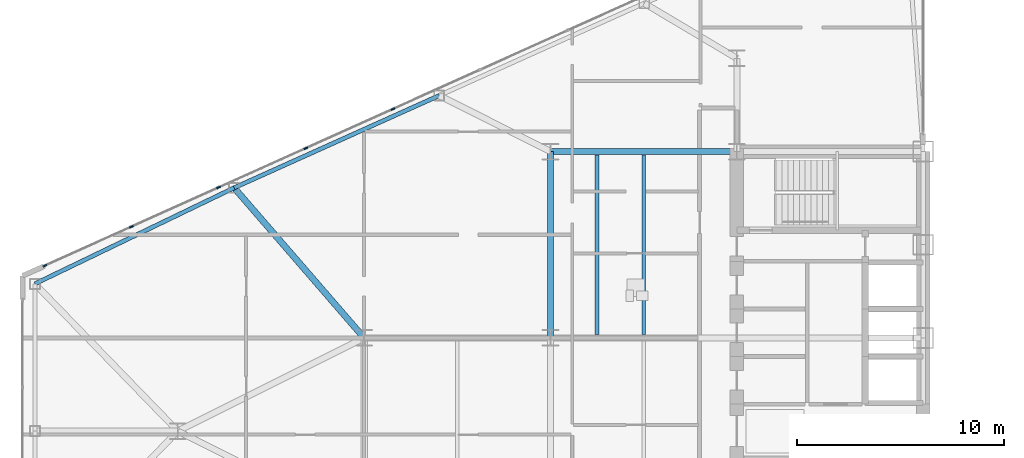
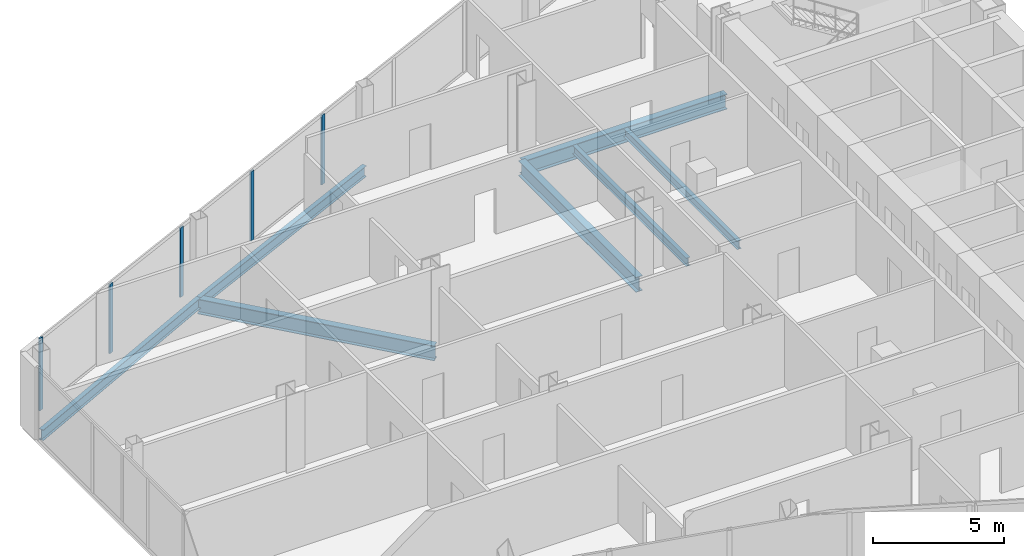
# One storey, part 7 of 27: 7 beams, 5 members, 1 element without a shape of its own.
"""IFC4 building model written with IfcOpenShell, lengths in metres."""

from ifc_helpers import new_model, si_unit, direction, frame, origin, origin_2d, place, context, subcontext, project, spatial, rectangle, i_section, extrude, source, transform, mapped, material, layer, layer_set, material_profile, profile_set, type_object, type_shapes, element, aggregate, save


model = new_model("IFC4")

# Units and contexts
model_context = context("Model", 3, precision=1e-05, world=origin(), true_north=direction((0.0, 1.0)))
body_context = subcontext(model_context, "Body", "Model", "MODEL_VIEW")
ifc_project = project(units=[si_unit("LENGTHUNIT", "METRE"), si_unit("AREAUNIT", "SQUARE_METRE"), si_unit("VOLUMEUNIT", "CUBIC_METRE"), si_unit("PLANEANGLEUNIT", "RADIAN"), si_unit("MASSUNIT", "GRAM", prefix="KILO")], contexts=[model_context])

# Site, building, storey
site_placement = place(None, origin())
site = spatial("IfcSite", under=ifc_project, at=site_placement, CompositionType="ELEMENT")
building_placement = place(site_placement, origin())
building = spatial("IfcBuilding", under=site, at=building_placement, Name="Seokmaru Belvedere", CompositionType="ELEMENT")
storey_placement = place(building_placement, frame((0.0, 0.0, 76.5)))
storey = spatial("IfcBuildingStorey", under=building, at=storey_placement, Name="L20", CompositionType="ELEMENT", Elevation=76.5)

# Beams
ifc_material_1 = material(Name="Steel SM355 (355 MPa)", Category="steel")
ifc_material_profile_1 = material_profile(ifc_material_1, i_section(OverallWidth=0.300048828125, OverallDepth=0.699951171875, WebThickness=0.012939453125, FlangeThickness=0.02392578125, at=origin_2d()), Name="H-700x300x13x24")
ifc_profile_set_1 = profile_set([ifc_material_profile_1], Name="Steel SM355 (355 MPa)")
beam_type_1 = type_object("IfcBeamType", Name="Primary Floor Girder H-700", PredefinedType="BEAM", material=ifc_profile_set_1)
shared_shape_1 = source(origin(), body_context, "Body", "SweptSolid", [
    extrude(i_section(OverallWidth=0.300048828125, OverallDepth=0.699951171875, WebThickness=0.012939453125, FlangeThickness=0.02392578125, at=origin_2d()), origin(), (0.0, 0.0, 1.0), 9.0),
])
for number, where, z_axis, x_axis, name in (
    (1, (-45.5, 4.5, -0.570068359375), (0.0, 1.0, 0.0), (-1.0, 0.0, 0.0), "L20 W Interior Grid Girder 3"),
    (2, (-45.5, 13.5, -0.570068359375), (1.0, 0.0, 0.0), (0.0, 1.0, 0.0), "L20 W Wing Primary Girder 4"),
):
    element("IfcBeam", number, at=place(storey_placement, frame(where, z_axis=z_axis, x_axis=x_axis)), inside=storey, type_object=beam_type_1, Name=name, PredefinedType="BEAM", context=body_context, shape_type="MappedRepresentation", body=[
        mapped(shared_shape_1, transform((0.0, 0.0, 0.0), scale=1.0)),
    ])
ifc_material_profile_2 = material_profile(ifc_material_1, i_section(OverallWidth=0.18505859375, OverallDepth=0.389892578125, WebThickness=0.008056640625, FlangeThickness=0.011962890625, at=origin_2d()), Name="H-390x185x8x12")
ifc_profile_set_2 = profile_set([ifc_material_profile_2], Name="Steel SM355 (355 MPa)")
beam_type_2 = type_object("IfcBeamType", Name="Secondary Floor Joist H-350", PredefinedType="JOIST", material=ifc_profile_set_2)
shared_shape_2 = source(origin(), body_context, "Body", "SweptSolid", [
    extrude(i_section(OverallWidth=0.18505859375, OverallDepth=0.389892578125, WebThickness=0.008056640625, FlangeThickness=0.011962890625, at=origin_2d()), origin(), (0.0, 0.0, 1.0), 8.68994140625),
])
type_shapes(beam_type_2, [shared_shape_2])
for number, where, z_axis, x_axis, name in (
    (3, (-43.25, 4.655029296875, -0.4150390625), (0.0, 1.0, 0.0), (-1.0, 0.0, 0.0), "L20 W Wing Inner Secondary Joist 2"),
    (4, (-41.0, 4.655029296875, -0.4150390625), (0.0, 1.0, 0.0), (-1.0, 0.0, 0.0), "L20 W Secondary Floor Joist 3"),
):
    element("IfcBeam", number, at=place(storey_placement, frame(where, z_axis=z_axis, x_axis=x_axis)), inside=storey, type_object=beam_type_2, Name=name, PredefinedType="JOIST", context=body_context, shape_type="MappedRepresentation", body=[
        mapped(shared_shape_2, transform((0.0, 0.0, 0.0), scale=1.0)),
    ])
ifc_material_profile_3 = material_profile(ifc_material_1, i_section(OverallWidth=0.199951171875, OverallDepth=0.5, WebThickness=0.010009765625, FlangeThickness=0.01611328125, at=origin_2d()), Name="H-500x200x10x16")
ifc_profile_set_3 = profile_set([ifc_material_profile_3], Name="Steel SM355 (355 MPa)")
beam_type_3 = type_object("IfcBeamType", Name="Perimeter Spandrel Beam H-500", PredefinedType="SPANDREL", material=ifc_profile_set_3)
shared_shape_3 = source(origin(), body_context, "Body", "SweptSolid", [
    extrude(i_section(OverallWidth=0.199951171875, OverallDepth=0.5, WebThickness=0.010009765625, FlangeThickness=0.01611328125, at=origin_2d()), origin(), (0.0, 0.0, 1.0), 10.85888671875),
])
beam_1_placement = place(storey_placement, frame((-50.875, 16.205322265625, -0.469970703125), z_axis=(-0.911925291223, -0.410356263785, 0.0), x_axis=(0.410356263785, -0.911925291223, 0.0)))
element("IfcBeam", 5, at=beam_1_placement, inside=storey, type_object=beam_type_3, Name="L20 W Faceted Flank Spandrel N-3", PredefinedType="SPANDREL", context=body_context, shape_type="MappedRepresentation", body=[
    mapped(shared_shape_3, transform((0.0, 0.0, 0.0), scale=1.0)),
])
shared_shape_4 = source(origin(), body_context, "Body", "SweptSolid", [
    extrude(i_section(OverallWidth=0.199951171875, OverallDepth=0.5, WebThickness=0.010009765625, FlangeThickness=0.01611328125, at=origin_2d()), origin(), (0.0, 0.0, 1.0), 10.681396484375),
])
type_shapes(beam_type_3, [shared_shape_3, shared_shape_4])
beam_2_placement = place(storey_placement, frame((-60.777587890625, 11.749267578125, -0.469970703125), z_axis=(-0.900846426616, -0.434137899352, 0.0), x_axis=(0.434137899352, -0.900846426616, 0.0)))
element("IfcBeam", 6, at=beam_2_placement, inside=storey, type_object=beam_type_3, Name="L20 W Faceted Flank Spandrel N-4", PredefinedType="SPANDREL", context=body_context, shape_type="MappedRepresentation", body=[
    mapped(shared_shape_4, transform((0.0, 0.0, 0.0), scale=1.0)),
])
shared_shape_5 = source(origin(), body_context, "Body", "SweptSolid", [
    extrude(i_section(OverallWidth=0.300048828125, OverallDepth=0.699951171875, WebThickness=0.012939453125, FlangeThickness=0.02392578125, at=origin_2d()), origin(), (0.0, 0.0, 1.0), 9.589599609375),
])
type_shapes(beam_type_1, [shared_shape_1, shared_shape_5])
beam_3_placement = place(storey_placement, frame((-60.777587890625, 11.749267578125, -0.570068359375), z_axis=(0.654626140929, -0.755952786629, 0.0), x_axis=(0.755952786629, 0.654626140929, 0.0)))
element("IfcBeam", 7, at=beam_3_placement, inside=storey, type_object=beam_type_1, Name="L20 W Flank Radial Floor Girder N-3", PredefinedType="BEAM", context=body_context, shape_type="MappedRepresentation", body=[
    mapped(shared_shape_5, transform((0.0, 0.0, 0.0), scale=1.0)),
])

# Curtain wall, members
ifc_material_2 = material(Name="Bronze Triple Insulating Glass", Category="glass")
ifc_layer = layer(ifc_material_2, 0.195068359375)
ifc_layer_set = layer_set([ifc_layer], Name="Bronze Triple Insulating Glass")
curtain_wall_type = type_object("IfcCurtainWallType", Name="Lower-Mid Tapered Curtain Wall System CW-3", PredefinedType="NOTDEFINED", material=ifc_layer_set)
curtain_wall_placement = place(storey_placement, origin())
curtain_wall = element("IfcCurtainWall", 8, at=curtain_wall_placement, inside=storey, type_object=curtain_wall_type, Name="L20 Curtain Wall WF3", PredefinedType="NOTDEFINED")
ifc_material_3 = material(Name="Anodised Bronze Aluminium", Category="aluminium")
ifc_material_profile_4 = material_profile(ifc_material_3, rectangle(XDim=0.070068359375, YDim=0.195068359375, at=origin_2d()), Name="CW-M-70x195")
ifc_profile_set_4 = profile_set([ifc_material_profile_4], Name="Anodised Bronze Aluminium")
member_type = type_object("IfcMemberType", Name="Bronze Unitised Mullion 70x195", PredefinedType="MULLION", material=ifc_profile_set_4)
shared_shape_6 = source(origin(), body_context, "Body", "SweptSolid", [
    extrude(rectangle(XDim=0.070068359375, YDim=0.195068359375, at=origin_2d()), origin(), (0.0, 0.0, 1.0), 3.3798828125),
])
member_1_placement = place(storey_placement, frame((-69.91943359375, 7.986328125, 0.0), z_axis=(0.0, 0.0, 1.0), x_axis=(0.41036554765, -0.91192111353, 0.0)))
member_1 = element("IfcMember", 9, at=member_1_placement, type_object=member_type, Name="CW:L20:WF3 Mullion 10", PredefinedType="MULLION", context=body_context, shape_type="MappedRepresentation", body=[
    mapped(shared_shape_6, transform((0.0, 0.0, 0.0), scale=1.0)),
])
shared_shape_7 = source(origin(), body_context, "Body", "SweptSolid", [
    extrude(rectangle(XDim=0.070068359375, YDim=0.195068359375, at=origin_2d()), origin(), (0.0, 0.0, 1.0), 3.239990234375),
])
type_shapes(member_type, [shared_shape_6, shared_shape_7])
member_2_placement = place(storey_placement, frame((-53.105712890625, 15.552490234375, 0.070068359375), z_axis=(0.0, 0.0, 1.0), x_axis=(0.41036554765, -0.91192111353, 0.0)))
member_2 = element("IfcMember", 10, at=member_2_placement, type_object=member_type, Name="CW:L20:WF3 Mullion 6", PredefinedType="MULLION", context=body_context, shape_type="MappedRepresentation", body=[
    mapped(shared_shape_7, transform((0.0, 0.0, 0.0), scale=1.0)),
])
member_3_placement = place(storey_placement, frame((-57.317138671875, 13.6572265625, 0.070068359375), z_axis=(0.0, 0.0, 1.0), x_axis=(0.41036554765, -0.91192111353, 0.0)))
member_3 = element("IfcMember", 11, at=member_3_placement, type_object=member_type, Name="CW:L20:WF3 Mullion 7", PredefinedType="MULLION", context=body_context, shape_type="MappedRepresentation", body=[
    mapped(shared_shape_7, transform((0.0, 0.0, 0.0), scale=1.0)),
])
member_4_placement = place(storey_placement, frame((-61.528564453125, 11.76220703125, 0.070068359375), z_axis=(0.0, 0.0, 1.0), x_axis=(0.41036554765, -0.91192111353, 0.0)))
member_4 = element("IfcMember", 12, at=member_4_placement, type_object=member_type, Name="CW:L20:WF3 Mullion 8", PredefinedType="MULLION", context=body_context, shape_type="MappedRepresentation", body=[
    mapped(shared_shape_7, transform((0.0, 0.0, 0.0), scale=1.0)),
])
member_5_placement = place(storey_placement, frame((-65.739990234375, 9.866943359375, 0.070068359375), z_axis=(0.0, 0.0, 1.0), x_axis=(0.41036554765, -0.91192111353, 0.0)))
member_5 = element("IfcMember", 13, at=member_5_placement, type_object=member_type, Name="CW:L20:WF3 Mullion 9", PredefinedType="MULLION", context=body_context, shape_type="MappedRepresentation", body=[
    mapped(shared_shape_7, transform((0.0, 0.0, 0.0), scale=1.0)),
])
aggregate(curtain_wall, [member_2, member_3, member_4, member_5, member_1])

save(model, "model.ifc")
